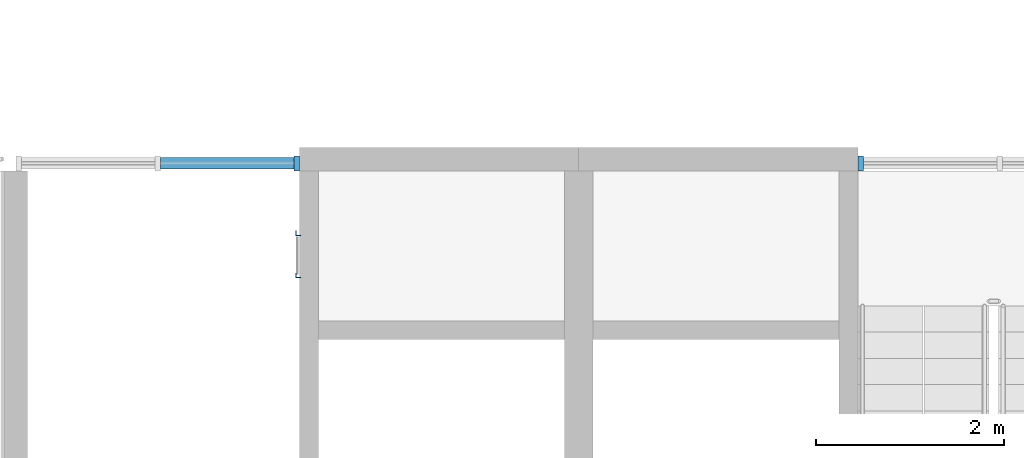
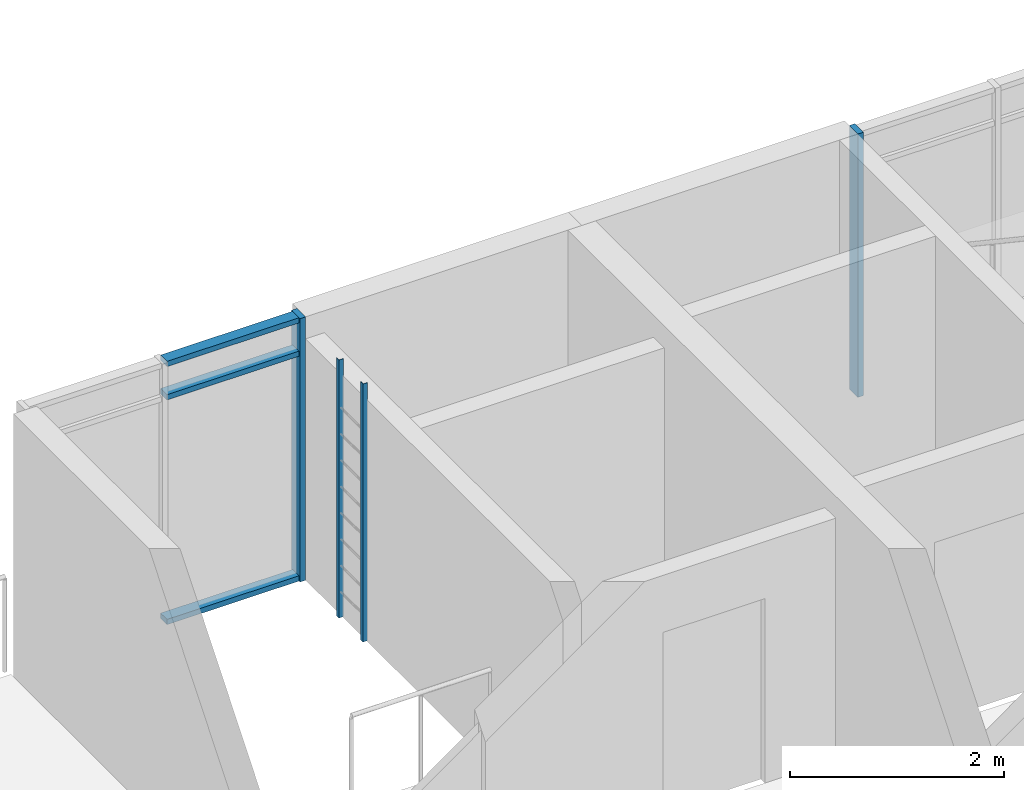
# One storey, part 22 of 87: 7 members, 2 elements without a shape of their own.
"""IFC4 building model written with IfcOpenShell, lengths in metres."""

from ifc_helpers import new_model, si_unit, direction, frame, origin, origin_2d, place, context, subcontext, project, spatial, polyline, rectangle, outline, extrude, material, material_profile, profile_set, type_object, element, aggregate, save


model = new_model("IFC4")

# Units and contexts
model_context = context("Model", 3, precision=1e-05, world=origin(), true_north=direction((0.0, 1.0)))
body_context = subcontext(model_context, "Body", "Model", "MODEL_VIEW")
ifc_project = project(units=[si_unit("LENGTHUNIT", "METRE"), si_unit("AREAUNIT", "SQUARE_METRE"), si_unit("VOLUMEUNIT", "CUBIC_METRE"), si_unit("PLANEANGLEUNIT", "RADIAN"), si_unit("MASSUNIT", "GRAM", prefix="KILO")], contexts=[model_context])

# Site, building, storey
site_placement = place(None, origin())
site = spatial("IfcSite", under=ifc_project, at=site_placement, CompositionType="ELEMENT")
building_placement = place(site_placement, origin())
building = spatial("IfcBuilding", under=site, at=building_placement, Name="Ridgestep Commons", CompositionType="ELEMENT")
storey_placement = place(building_placement, frame((0.0, 0.0, 27.0)))
storey = spatial("IfcBuildingStorey", under=building, at=storey_placement, Name="L09", CompositionType="ELEMENT", Elevation=27.0)

# Members
ifc_material_1 = material(Name="Structural steel S355JR", Category="steel")
ifc_material_profile_1 = material_profile(ifc_material_1, outline(polyline([(-0.014404296875, -0.014404296875), (0.03564453125, -0.014404296875), (0.03564453125, -0.00927734375), (-0.00927734375, -0.00927734375), (-0.00927734375, 0.03564453125), (-0.014404296875, 0.03564453125), (-0.014404296875, -0.014404296875)])), Name="EA 50x50x5")
ifc_profile_set_1 = profile_set([ifc_material_profile_1], Name="Structural steel S355JR")
member_type_1 = type_object("IfcMemberType", Name="Core ladder stile EA 50x50x5", PredefinedType="STRINGER", material=ifc_profile_set_1)
for number, where, z_axis, x_axis, name in (
    (1, (177.39990234375, 75.875, 0.0), (0.0, 0.0, 1.0), (1.0, 0.0, 0.0), "Ladder stile C2C.1"),
    (2, (177.39990234375, 76.324951171875, 0.0), (0.0, 0.0, 1.0), (1.0, 0.0, 0.0), "Ladder stile C2C.2"),
):
    element("IfcMember", number, at=place(storey_placement, frame(where, z_axis=z_axis, x_axis=x_axis)), inside=storey, type_object=member_type_1, Name=name, PredefinedType="STRINGER", context=body_context, shape_type="SweptSolid", body=[
        extrude(outline(polyline([(-0.014404296875, -0.014404296875), (0.03564453125, -0.014404296875), (0.03564453125, -0.00927734375), (-0.00927734375, -0.00927734375), (-0.00927734375, 0.03564453125), (-0.014404296875, 0.03564453125), (-0.014404296875, -0.014404296875)])), origin(), (0.0, 0.0, 1.0), 2.93994140625),
    ])

# Curtain wall, member
ifc_material_2 = material(Name="Aluminium 6063-T6 and glass", Category="aluminium")
curtain_wall_type = type_object("IfcCurtainWallType", Name="Curtain wall stair strip", PredefinedType="NOTDEFINED", material=ifc_material_2)
curtain_wall_1_placement = place(storey_placement, origin())
curtain_wall_1 = element("IfcCurtainWall", 3, at=curtain_wall_1_placement, inside=storey, type_object=curtain_wall_type, Name="Curtain wall C2C level 09", PredefinedType="NOTDEFINED")
ifc_material_3 = material(Name="Aluminium 6063-T6", Category="aluminium")
ifc_material_profile_2 = material_profile(ifc_material_3, rectangle(XDim=0.159912109375, YDim=0.06005859375, at=origin_2d()), Name="Mullion 60 x 160")
ifc_profile_set_2 = profile_set([ifc_material_profile_2], Name="Aluminium 6063-T6")
member_type_2 = type_object("IfcMemberType", Name="Mullion 60 x 160", PredefinedType="MULLION", material=ifc_profile_set_2)
member_1_placement = place(storey_placement, frame((177.39501953125, 77.080078125, 0.0), z_axis=(0.0, 0.0, 1.0), x_axis=(0.0, 1.0, 0.0)))
member_1 = element("IfcMember", 4, at=member_1_placement, type_object=member_type_2, Name="CW1 mullion 3", PredefinedType="MULLION", context=body_context, shape_type="SweptSolid", body=[
    extrude(rectangle(XDim=0.159912109375, YDim=0.06005859375, at=origin_2d()), origin(), (0.0, 0.0, 1.0), 3.0),
])

curtain_wall_2_placement = place(storey_placement, origin())
curtain_wall_2 = element("IfcCurtainWall", 5, at=curtain_wall_2_placement, inside=storey, type_object=curtain_wall_type, Name="Curtain wall C3C level 09", PredefinedType="NOTDEFINED")
member_2_placement = place(storey_placement, frame((183.405029296875, 77.080078125, 0.0), z_axis=(0.0, 0.0, 1.0), x_axis=(0.0, 1.0, 0.0)))
member_2 = element("IfcMember", 6, at=member_2_placement, type_object=member_type_2, Name="CW1 mullion 1", PredefinedType="MULLION", context=body_context, shape_type="SweptSolid", body=[
    extrude(rectangle(XDim=0.159912109375, YDim=0.06005859375, at=origin_2d()), origin(), (0.0, 0.0, 1.0), 3.0),
])
aggregate(curtain_wall_2, [member_2])

# Member
ifc_material_4 = material(Name="Aluminium 6063-T6", Category="aluminium")
ifc_material_profile_3 = material_profile(ifc_material_4, rectangle(XDim=0.1201171875, YDim=0.06005859375, at=origin_2d()), Name="Transom 60 x 120")
ifc_profile_set_3 = profile_set([ifc_material_profile_3], Name="Aluminium 6063-T6")
member_type_3 = type_object("IfcMemberType", Name="Transom 60 x 120", PredefinedType="USERDEFINED", material=ifc_profile_set_3)
member_3_placement = place(storey_placement, frame((175.9423828125, 77.080078125, 0.030029296875), z_axis=(1.0, 0.0, 0.0), x_axis=(0.0, 1.0, 0.0)))
member_3 = element("IfcMember", 7, at=member_3_placement, type_object=member_type_3, Name="CW1 transom 2.1", ObjectType="TRANSOM", PredefinedType="USERDEFINED", context=body_context, shape_type="SweptSolid", body=[
    extrude(rectangle(XDim=0.1201171875, YDim=0.06005859375, at=origin_2d()), origin(), (0.0, 0.0, 1.0), 1.422607421875),
])

member_4_placement = place(storey_placement, frame((175.9423828125, 77.080078125, 2.590087890625), z_axis=(1.0, 0.0, 0.0), x_axis=(0.0, 1.0, 0.0)))
member_4 = element("IfcMember", 8, at=member_4_placement, type_object=member_type_3, Name="CW1 transom 2.2", ObjectType="TRANSOM", PredefinedType="USERDEFINED", context=body_context, shape_type="SweptSolid", body=[
    extrude(rectangle(XDim=0.1201171875, YDim=0.06005859375, at=origin_2d()), origin(), (0.0, 0.0, 1.0), 1.422607421875),
])

member_5_placement = place(storey_placement, frame((175.9423828125, 77.080078125, 2.969970703125), z_axis=(1.0, 0.0, 0.0), x_axis=(0.0, 1.0, 0.0)))
member_5 = element("IfcMember", 9, at=member_5_placement, type_object=member_type_3, Name="CW1 transom 2.3", ObjectType="TRANSOM", PredefinedType="USERDEFINED", context=body_context, shape_type="SweptSolid", body=[
    extrude(rectangle(XDim=0.1201171875, YDim=0.06005859375, at=origin_2d()), origin(), (0.0, 0.0, 1.0), 1.422607421875),
])

aggregate(curtain_wall_1, [member_1, member_3, member_4, member_5])

save(model, "model.ifc")
